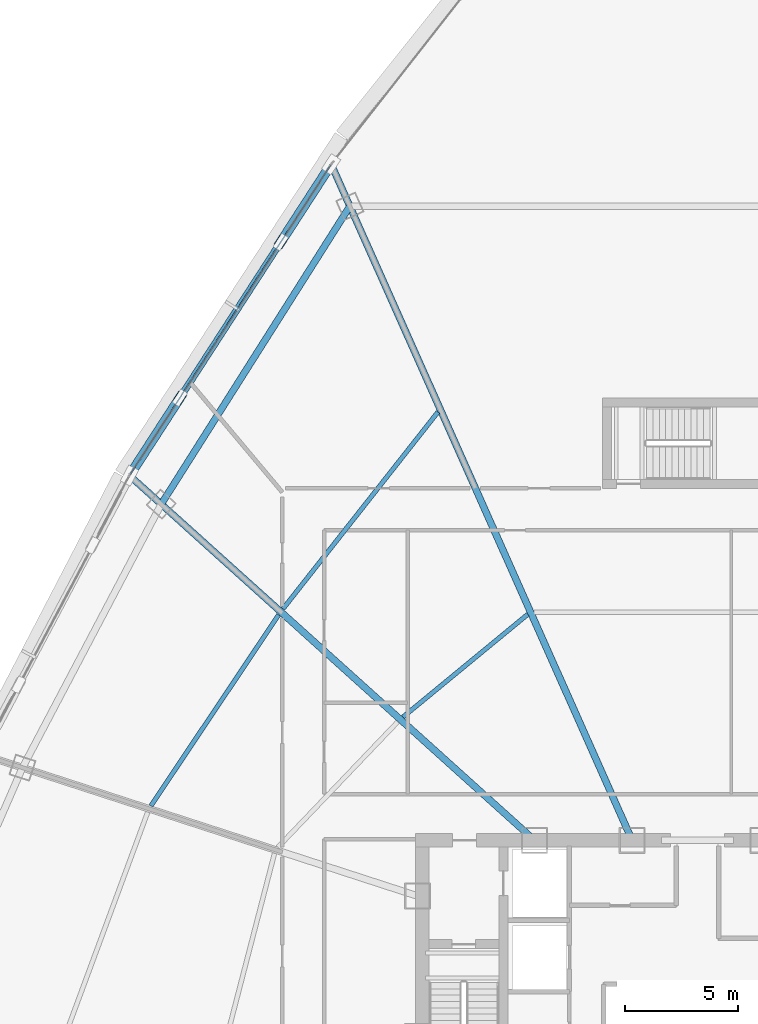
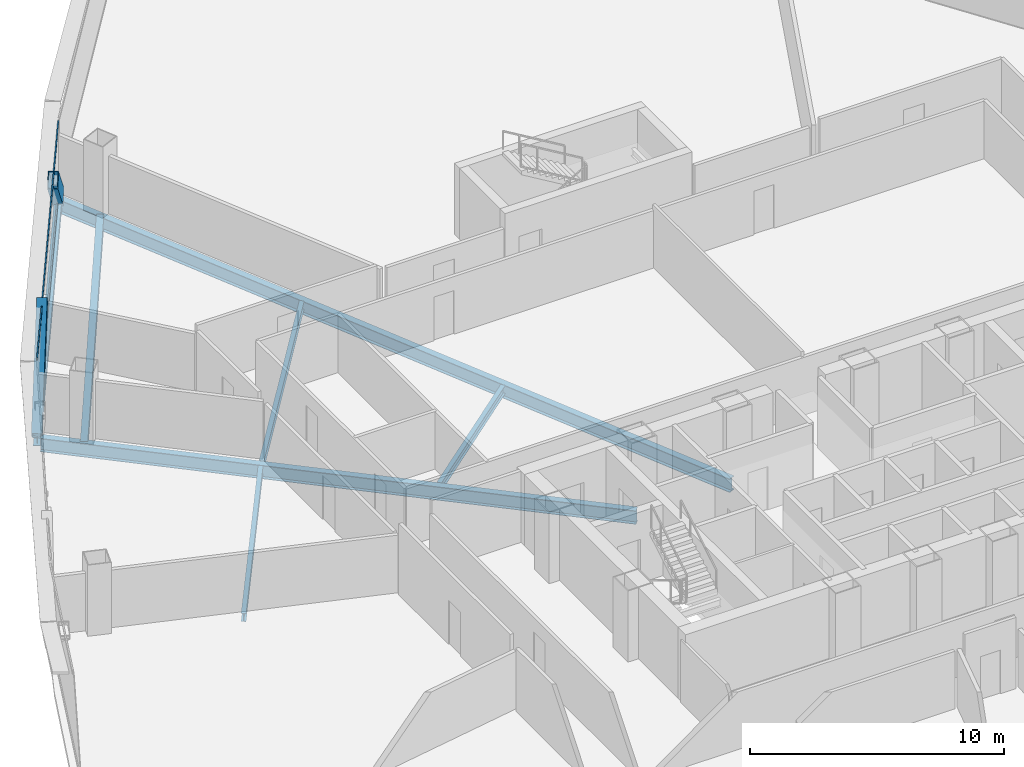
# One storey, part 17 of 42: 7 beams, 4 members, 1 element without a shape of its own.
"""IFC4 building model written with IfcOpenShell, lengths in metres."""

from ifc_helpers import new_model, si_unit, direction, frame, origin, origin_2d, place, context, subcontext, project, spatial, hollow_rectangle, i_section, extrude, source, transform, mapped, material, layer, layer_set, material_profile, profile_set, type_object, element, aggregate, save


model = new_model("IFC4")

# Units and contexts
model_context = context("Model", 3, precision=1e-05, world=origin(), true_north=direction((0.0, 1.0)))
body_context = subcontext(model_context, "Body", "Model", "MODEL_VIEW")
ifc_project = project(units=[si_unit("LENGTHUNIT", "METRE"), si_unit("AREAUNIT", "SQUARE_METRE"), si_unit("VOLUMEUNIT", "CUBIC_METRE"), si_unit("PLANEANGLEUNIT", "RADIAN"), si_unit("MASSUNIT", "GRAM", prefix="KILO"), si_unit("THERMODYNAMICTEMPERATUREUNIT", "KELVIN"), si_unit("POWERUNIT", "WATT")], contexts=[model_context])

# Site, building, storey
site_placement = place(None, origin())
site = spatial("IfcSite", under=ifc_project, at=site_placement, CompositionType="ELEMENT")
building_placement = place(site_placement, origin())
building = spatial("IfcBuilding", under=site, at=building_placement, Name="Yunzhuo Pagoda Commons", CompositionType="ELEMENT")
storey_placement = place(building_placement, frame((0.0, 0.0, 129.830078125)))
storey = spatial("IfcBuildingStorey", under=building, at=storey_placement, Name="L32", CompositionType="ELEMENT", Elevation=129.830078125)

# Beams
ifc_material_1 = material(Name="Structural steel Q355B", Category="steel")
ifc_material_profile_1 = material_profile(ifc_material_1, i_section(OverallWidth=0.300048828125, OverallDepth=0.488037109375, WebThickness=0.010986328125, FlangeThickness=0.01806640625, at=origin_2d()), Name="Structural steel Q355B")
ifc_profile_set_1 = profile_set([ifc_material_profile_1], Name="Structural steel Q355B")
beam_type_1 = type_object("IfcBeamType", Name="B-SP1 Beam HM 488x300x11x18", PredefinedType="BEAM", material=ifc_profile_set_1)
shared_shape_1 = source(origin(), body_context, "Body", "SweptSolid", [
    extrude(i_section(OverallWidth=0.300048828125, OverallDepth=0.488037109375, WebThickness=0.010986328125, FlangeThickness=0.01806640625, at=origin_2d()), origin(), (0.0, 0.0, 1.0), 16.43994140625),
])
beam_1_placement = place(storey_placement, frame((31.765380859375, 70.163818359375, -0.504150390625), z_axis=(-0.543751172909, -0.839246484627, 0.0), x_axis=(0.839246484627, -0.543751172909, 0.0)))
element("IfcBeam", 1, at=beam_1_placement, inside=storey, type_object=beam_type_1, Name="L32 facade edge spandrel beam F3.1", PredefinedType="BEAM", context=body_context, shape_type="MappedRepresentation", body=[
    mapped(shared_shape_1, transform((0.0, 0.0, 0.0), scale=1.0)),
])
ifc_material_profile_2 = material_profile(ifc_material_1, i_section(OverallWidth=0.300048828125, OverallDepth=0.64990234375, WebThickness=0.012939453125, FlangeThickness=0.02197265625, at=origin_2d()), Name="Structural steel Q355B")
ifc_profile_set_2 = profile_set([ifc_material_profile_2], Name="Structural steel Q355B")
beam_type_2 = type_object("IfcBeamType", Name="B-RG2 Beam HN 650x300x13x22", PredefinedType="BEAM", material=ifc_profile_set_2)
shared_shape_2 = source(origin(), body_context, "Body", "SweptSolid", [
    extrude(i_section(OverallWidth=0.300048828125, OverallDepth=0.64990234375, WebThickness=0.012939453125, FlangeThickness=0.02197265625, at=origin_2d()), origin(), (0.0, 0.0, 1.0), 24.005859375),
])
beam_2_placement = place(storey_placement, frame((22.94140625, 56.26318359375, -0.5849609375), z_axis=(0.743136854915, -0.66913945846, 0.0), x_axis=(0.66913945846, 0.743136854915, 0.0)))
element("IfcBeam", 2, at=beam_2_placement, inside=storey, type_object=beam_type_2, Name="L32 radial floor girder F3C2", PredefinedType="BEAM", context=body_context, shape_type="MappedRepresentation", body=[
    mapped(shared_shape_2, transform((0.0, 0.0, 0.0), scale=1.0)),
])
shared_shape_3 = source(origin(), body_context, "Body", "SweptSolid", [
    extrude(i_section(OverallWidth=0.300048828125, OverallDepth=0.64990234375, WebThickness=0.012939453125, FlangeThickness=0.02197265625, at=origin_2d()), origin(), (0.0, 0.0, 1.0), 32.64453125),
])
beam_3_placement = place(storey_placement, frame((31.828369140625, 70.022216796875, -0.5849609375), z_axis=(0.406733058142, -0.91354705375, 0.0), x_axis=(0.91354705375, 0.406733058142, 0.0)))
element("IfcBeam", 3, at=beam_3_placement, inside=storey, type_object=beam_type_2, Name="L32 radial floor girder F3C1", PredefinedType="BEAM", context=body_context, shape_type="MappedRepresentation", body=[
    mapped(shared_shape_3, transform((0.0, 0.0, 0.0), scale=1.0)),
])
ifc_material_profile_3 = material_profile(ifc_material_1, i_section(OverallWidth=0.199951171875, OverallDepth=0.39990234375, WebThickness=0.008056640625, FlangeThickness=0.012939453125, at=origin_2d()), Name="Structural steel Q355B")
ifc_profile_set_3 = profile_set([ifc_material_profile_3], Name="Structural steel Q355B")
beam_type_3 = type_object("IfcBeamType", Name="B-JS1 Joist HN 400x200x8x13", PredefinedType="JOIST", material=ifc_profile_set_3)
shared_shape_4 = source(origin(), body_context, "Body", "SweptSolid", [
    extrude(i_section(OverallWidth=0.199951171875, OverallDepth=0.39990234375, WebThickness=0.008056640625, FlangeThickness=0.012939453125, at=origin_2d()), origin(), (0.0, 0.0, 1.0), 10.186767578125),
])
beam_4_placement = place(storey_placement, frame((29.440673828125, 50.19921875, -0.4599609375), z_axis=(-0.555872145938, -0.831267801235, 0.0), x_axis=(0.831267801235, -0.555872145938, 0.0)))
element("IfcBeam", 4, at=beam_4_placement, inside=storey, type_object=beam_type_3, Name="L32 composite ring joist 2.10", PredefinedType="JOIST", context=body_context, shape_type="MappedRepresentation", body=[
    mapped(shared_shape_4, transform((0.0, 0.0, 0.0), scale=1.0)),
])
shared_shape_5 = source(origin(), body_context, "Body", "SweptSolid", [
    extrude(i_section(OverallWidth=0.300048828125, OverallDepth=0.64990234375, WebThickness=0.012939453125, FlangeThickness=0.02197265625, at=origin_2d()), origin(), (0.0, 0.0, 1.0), 15.627685546875),
])
beam_5_placement = place(storey_placement, frame((32.593994140625, 68.302734375, -0.5849609375), z_axis=(-0.534952471728, -0.844882153316, 0.0), x_axis=(0.844882153316, -0.534952471728, 0.0)))
element("IfcBeam", 5, at=beam_5_placement, inside=storey, type_object=beam_type_2, Name="L32 column-ring beam 9", PredefinedType="BEAM", context=body_context, shape_type="MappedRepresentation", body=[
    mapped(shared_shape_5, transform((0.0, 0.0, 0.0), scale=1.0)),
])
shared_shape_6 = source(origin(), body_context, "Body", "SweptSolid", [
    extrude(i_section(OverallWidth=0.199951171875, OverallDepth=0.39990234375, WebThickness=0.008056640625, FlangeThickness=0.012939453125, at=origin_2d()), origin(), (0.0, 0.0, 1.0), 7.163818359375),
])
beam_6_placement = place(storey_placement, frame((40.47900390625, 50.21630859375, -0.4599609375), z_axis=(-0.772234119563, -0.635338071095, 0.0), x_axis=(0.635338071095, -0.772234119563, 0.0)))
element("IfcBeam", 6, at=beam_6_placement, inside=storey, type_object=beam_type_3, Name="L32 composite ring joist 1.9", PredefinedType="JOIST", context=body_context, shape_type="MappedRepresentation", body=[
    mapped(shared_shape_6, transform((0.0, 0.0, 0.0), scale=1.0)),
])
shared_shape_7 = source(origin(), body_context, "Body", "SweptSolid", [
    extrude(i_section(OverallWidth=0.199951171875, OverallDepth=0.39990234375, WebThickness=0.008056640625, FlangeThickness=0.012939453125, at=origin_2d()), origin(), (0.0, 0.0, 1.0), 11.109375),
])
beam_7_placement = place(storey_placement, frame((36.49951171875, 59.18505859375, -0.4599609375), z_axis=(-0.618600596935, -0.785705607382, 0.0), x_axis=(0.785705607382, -0.618600596935, 0.0)))
element("IfcBeam", 7, at=beam_7_placement, inside=storey, type_object=beam_type_3, Name="L32 composite ring joist 2.9", PredefinedType="JOIST", context=body_context, shape_type="MappedRepresentation", body=[
    mapped(shared_shape_7, transform((0.0, 0.0, 0.0), scale=1.0)),
])

# Members
ifc_material_2 = material(Name="Structural steel Q420B", Category="steel")
ifc_material_profile_4 = material_profile(ifc_material_2, hollow_rectangle(XDim=0.419921875, YDim=0.719970703125, WallThickness=0.028076171875, at=origin_2d()), Name="Structural steel Q420B")
ifc_profile_set_4 = profile_set([ifc_material_profile_4], Name="Structural steel Q420B")
member_type_1 = type_object("IfcMemberType", Name="M-DL1 Brace BOX 720x420x28", PredefinedType="BRACE", material=ifc_profile_set_4)
shared_shape_8 = source(origin(), body_context, "Body", "SweptSolid", [
    extrude(hollow_rectangle(XDim=0.419921875, YDim=0.719970703125, WallThickness=0.028076171875, at=origin_2d()), origin(), (0.0, 0.0, 1.0), 5.5166015625),
])
for number, where, z_axis, x_axis, name in (
    (8, (31.765380859375, 70.163818359375, -0.260009765625), (-0.405111104648, -0.625235928169, 0.667056989333), (0.839235316725, -0.543768409492, 0.0), "L32 facade diamond brace F3.1L"),
    (9, (22.826171875, 56.36669921875, -0.260009765625), (0.405111104648, 0.625235928169, 0.667056989333), (-0.839235316725, 0.543768409492, 0.0), "L32 facade diamond brace F3.1R"),
):
    element("IfcMember", number, at=place(storey_placement, frame(where, z_axis=z_axis, x_axis=x_axis)), inside=storey, type_object=member_type_1, Name=name, PredefinedType="BRACE", context=body_context, shape_type="MappedRepresentation", body=[
        mapped(shared_shape_8, transform((0.0, 0.0, 0.0), scale=1.0)),
    ])

# Curtain wall, members
ifc_material_3 = material(Name="Anodized aluminium 6063-T6", Category="aluminium")
ifc_layer = layer(ifc_material_3, 0.14990234375)
ifc_layer_set = layer_set([ifc_layer], Name="Anodized aluminium 6063-T6")
curtain_wall_type = type_object("IfcCurtainWallType", Name="CW-MID Mid-Zone Ribbon Curtain Wall", PredefinedType="NOTDEFINED", material=ifc_layer_set)
curtain_wall_placement = place(storey_placement, origin())
curtain_wall = element("IfcCurtainWall", 10, at=curtain_wall_placement, inside=storey, type_object=curtain_wall_type, Name="L32 curtain wall CW-L32-F3B2", PredefinedType="NOTDEFINED")
ifc_material_profile_5 = material_profile(ifc_material_3, hollow_rectangle(XDim=0.054931640625, YDim=0.1298828125, WallThickness=0.00341796875, at=origin_2d()), Name="Anodized aluminium 6063-T6")
ifc_profile_set_5 = profile_set([ifc_material_profile_5], Name="Anodized aluminium 6063-T6")
member_type_2 = type_object("IfcMemberType", Name="CW-MID-T Transom RHS 130x55x3.5", PredefinedType="USERDEFINED", material=ifc_profile_set_5)
shared_shape_9 = source(origin(), body_context, "Body", "SweptSolid", [
    extrude(hollow_rectangle(XDim=0.054931640625, YDim=0.1298828125, WallThickness=0.00341796875, at=origin_2d()), origin(), (0.0, 0.0, 1.0), 16.319580078125),
])
member_1_placement = place(storey_placement, frame((31.732666015625, 70.11328125, 0.02734375), z_axis=(-0.543746793414, -0.839249322104, 0.0), x_axis=(0.839249322104, -0.543746793414, 0.0)))
member_1 = element("IfcMember", 11, at=member_1_placement, type_object=member_type_2, Name="CW transom 1.1", ObjectType="TRANSOM", PredefinedType="USERDEFINED", context=body_context, shape_type="MappedRepresentation", body=[
    mapped(shared_shape_9, transform((0.0, 0.0, 0.0), scale=1.0)),
])
member_2_placement = place(storey_placement, frame((31.732666015625, 70.11328125, 3.392333984375), z_axis=(-0.543746793414, -0.839249322104, 0.0), x_axis=(0.839249322104, -0.543746793414, 0.0)))
member_2 = element("IfcMember", 12, at=member_2_placement, type_object=member_type_2, Name="CW transom 1.2", ObjectType="TRANSOM", PredefinedType="USERDEFINED", context=body_context, shape_type="MappedRepresentation", body=[
    mapped(shared_shape_9, transform((0.0, 0.0, 0.0), scale=1.0)),
])
aggregate(curtain_wall, [member_1, member_2])

save(model, "model.ifc")
